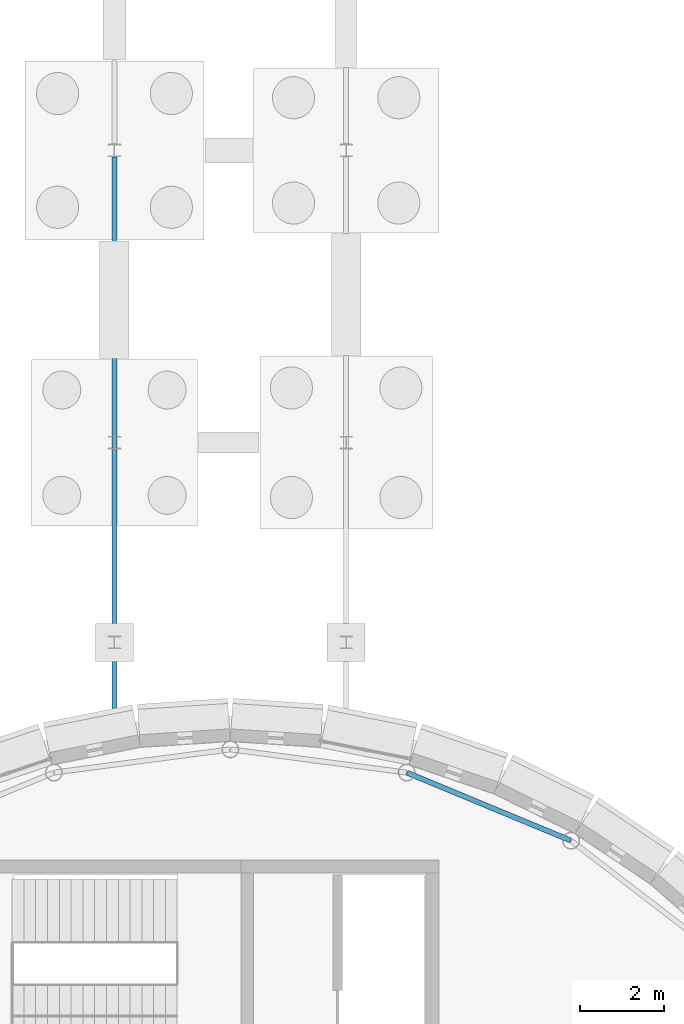
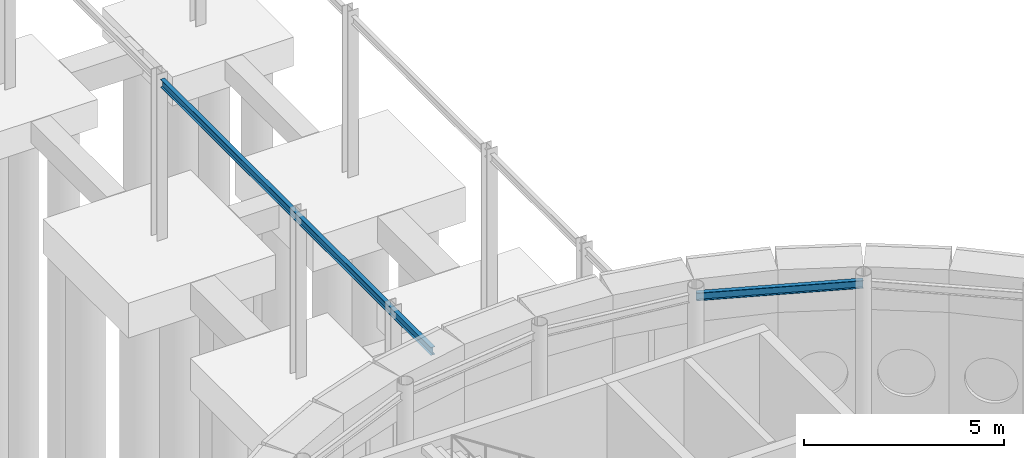
# One storey, part 43 of 109: 2 beams.
"""IFC4 building model written with IfcOpenShell, lengths in metres."""

from ifc_helpers import new_model, si_unit, direction, frame, origin, origin_2d, place, context, subcontext, project, spatial, i_section, extrude, material, material_profile, profile_set, type_object, element, save


model = new_model("IFC4")

# Units and contexts
model_context = context("Model", 3, precision=1e-05, world=origin(), true_north=direction((0.0, 1.0)))
body_context = subcontext(model_context, "Body", "Model", "MODEL_VIEW")
ifc_project = project(units=[si_unit("LENGTHUNIT", "METRE"), si_unit("AREAUNIT", "SQUARE_METRE"), si_unit("VOLUMEUNIT", "CUBIC_METRE"), si_unit("PLANEANGLEUNIT", "RADIAN"), si_unit("MASSUNIT", "GRAM", prefix="KILO")], contexts=[model_context])

# Site, building, storey
site_placement = place(None, origin())
site = spatial("IfcSite", under=ifc_project, at=site_placement, CompositionType="ELEMENT")
building_placement = place(site_placement, origin())
building = spatial("IfcBuilding", under=site, at=building_placement, Name="Montecoro Central Library", CompositionType="ELEMENT")
storey_placement = place(building_placement, origin())
storey = spatial("IfcBuildingStorey", under=building, at=storey_placement, Name="L00", CompositionType="ELEMENT", Elevation=0.0)

# Beams
ifc_material = material(Name="Steel S355", Category="steel")
ifc_material_profile = material_profile(ifc_material, i_section(OverallWidth=0.1201171875, OverallDepth=0.239990234375, WebThickness=0.006103515625, FlangeThickness=0.009765625, at=origin_2d()), Name="IPE 240")
ifc_profile_set = profile_set([ifc_material_profile], Name="Steel S355")
beam_type = type_object("IfcBeamType", Name="BM-SP-IPE240", PredefinedType="SPANDREL", material=ifc_profile_set)
beam_1_placement = place(storey_placement, frame((99.680908203125, 49.416015625, 4.72509765625), z_axis=(-0.923865350906, 0.382717667995, 0.0), x_axis=(-0.382717667995, -0.923865350906, 0.0)))
element("IfcBeam", 1, at=beam_1_placement, inside=storey, type_object=beam_type, Name="V1-L00-RING-05", PredefinedType="SPANDREL", context=body_context, shape_type="SweptSolid", body=[
    extrude(i_section(OverallWidth=0.1201171875, OverallDepth=0.239990234375, WebThickness=0.006103515625, FlangeThickness=0.009765625, at=origin_2d()), origin(), (0.0, 0.0, 1.0), 4.203857421875),
])
beam_2_placement = place(storey_placement, frame((88.85009765625, 52.139892578125, 4.794921875), z_axis=(0.0, 1.0, 0.0), x_axis=(-1.0, 0.0, 0.0)))
element("IfcBeam", 2, at=beam_2_placement, inside=storey, type_object=beam_type, Name="BR-N-L01-BM-W1", PredefinedType="SPANDREL", context=body_context, shape_type="SweptSolid", body=[
    extrude(i_section(OverallWidth=0.1201171875, OverallDepth=0.239990234375, WebThickness=0.006103515625, FlangeThickness=0.009765625, at=origin_2d()), origin(), (0.0, 0.0, 1.0), 13.5),
])

save(model, "model.ifc")
